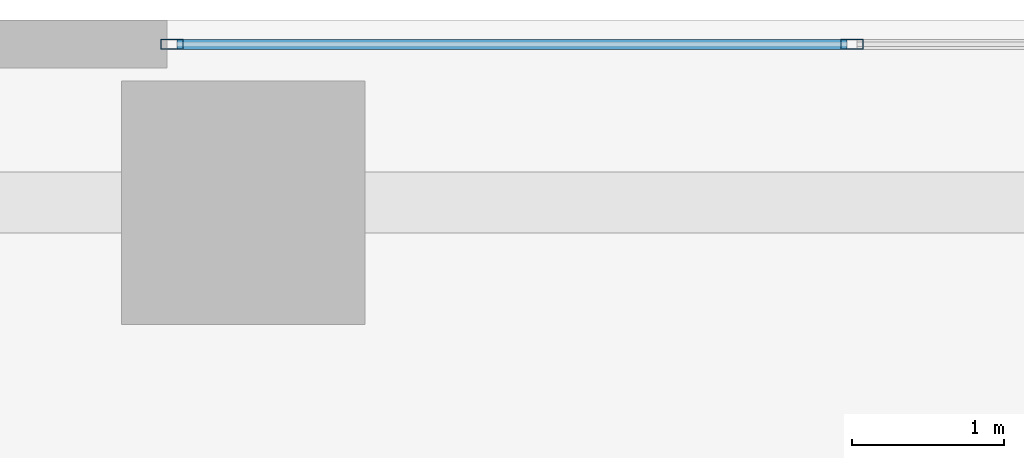
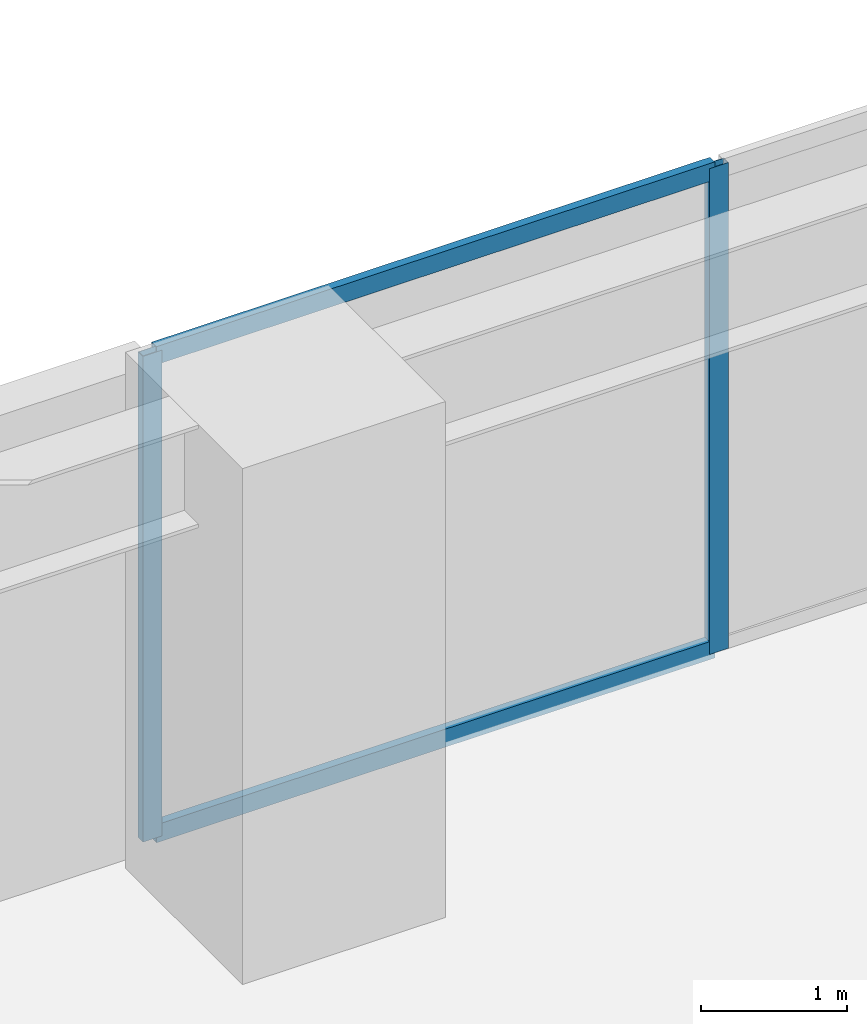
# One storey, part 11 of 25: 4 members, 1 element without a shape of its own.
"""IFC4 building model written with IfcOpenShell, lengths in metres."""

from ifc_helpers import new_model, si_unit, direction, frame, origin, origin_2d, place, context, subcontext, project, spatial, hollow_rectangle, extrude, source, transform, mapped, material, layer, layer_set, material_profile, profile_set, type_object, type_shapes, element, aggregate, save


model = new_model("IFC4")

# Units and contexts
model_context = context("Model", 3, precision=1e-05, world=origin(), true_north=direction((0.0, 1.0)))
body_context = subcontext(model_context, "Body", "Model", "MODEL_VIEW")
ifc_project = project(units=[si_unit("LENGTHUNIT", "METRE"), si_unit("AREAUNIT", "SQUARE_METRE"), si_unit("VOLUMEUNIT", "CUBIC_METRE"), si_unit("PLANEANGLEUNIT", "RADIAN"), si_unit("MASSUNIT", "GRAM", prefix="KILO")], contexts=[model_context])

# Site, building, storey
site_placement = place(None, origin())
site = spatial("IfcSite", under=ifc_project, at=site_placement, CompositionType="ELEMENT")
building_placement = place(site_placement, origin())
building = spatial("IfcBuilding", under=site, at=building_placement, Name="Talar Marvaseh", CompositionType="ELEMENT")
storey_placement = place(building_placement, frame((0.0, 0.0, 5.199951171875)))
storey = spatial("IfcBuildingStorey", under=building, at=storey_placement, Name="L01", CompositionType="ELEMENT", Elevation=5.199951171875)

# Curtain wall, members
ifc_material = material(Name="Architectural Aluminium", Category="aluminium")
ifc_layer = layer(ifc_material, 0.25)
ifc_layer_set = layer_set([ifc_layer], Name="Architectural Aluminium")
curtain_wall_type = type_object("IfcCurtainWallType", Name="Station Podium Monumental Iwan Curtain Wall", PredefinedType="NOTDEFINED", material=ifc_layer_set)
curtain_wall_placement = place(storey_placement, origin())
curtain_wall = element("IfcCurtainWall", 1, at=curtain_wall_placement, inside=storey, type_object=curtain_wall_type, Name="L01 Station Podium Monumental Iwan Curtain Wall", PredefinedType="NOTDEFINED")
ifc_material_profile_1 = material_profile(ifc_material, hollow_rectangle(XDim=0.06494140625, YDim=0.14990234375, WallThickness=0.00390625, at=origin_2d()), Name="RHS150x65x4")
ifc_profile_set_1 = profile_set([ifc_material_profile_1], Name="Architectural Aluminium")
member_type_1 = type_object("IfcMemberType", Name="Unitised Curtain Wall Slim Transom RHS150x65x4", PredefinedType="USERDEFINED", material=ifc_profile_set_1)
shared_shape_1 = source(origin(), body_context, "Body", "SweptSolid", [
    extrude(hollow_rectangle(XDim=0.06494140625, YDim=0.14990234375, WallThickness=0.00390625, at=origin_2d()), origin(), (0.0, 0.0, 1.0), 4.402587890625),
])
type_shapes(member_type_1, [shared_shape_1])
member_1_placement = place(storey_placement, frame((18.06494140625, 47.840087890625, 0.032470703125), z_axis=(1.0, 0.0, 0.0), x_axis=(0.0, 1.0, 0.0)))
member_1 = element("IfcMember", 2, at=member_1_placement, type_object=member_type_1, Name="CW-POD transom 1.1", ObjectType="TRANSOM", PredefinedType="USERDEFINED", context=body_context, shape_type="MappedRepresentation", body=[
    mapped(shared_shape_1, transform((0.0, 0.0, 0.0), x_axis=(1.0, 0.0, 0.0), y_axis=(0.0, 1.0, 0.0), z_axis=(0.0, 0.0, 1.0), scale=1.0)),
])
member_2_placement = place(storey_placement, frame((18.06494140625, 47.840087890625, 4.017578125), z_axis=(1.0, 0.0, 0.0), x_axis=(0.0, 1.0, 0.0)))
member_2 = element("IfcMember", 3, at=member_2_placement, type_object=member_type_1, Name="CW-POD transom 1.2", ObjectType="TRANSOM", PredefinedType="USERDEFINED", context=body_context, shape_type="MappedRepresentation", body=[
    mapped(shared_shape_1, transform((0.0, 0.0, 0.0), x_axis=(1.0, 0.0, 0.0), y_axis=(0.0, 1.0, 0.0), z_axis=(0.0, 0.0, 1.0), scale=1.0)),
])
ifc_material_profile_2 = material_profile(ifc_material, hollow_rectangle(XDim=0.06494140625, YDim=0.14990234375, WallThickness=0.00390625, at=origin_2d()), Name="RHS150x65x4")
ifc_profile_set_2 = profile_set([ifc_material_profile_2], Name="Architectural Aluminium")
member_type_2 = type_object("IfcMemberType", Name="Unitised Curtain Wall Slim Mullion RHS150x65x4", PredefinedType="MULLION", material=ifc_profile_set_2)
shared_shape_2 = source(origin(), body_context, "Body", "SweptSolid", [
    extrude(hollow_rectangle(XDim=0.06494140625, YDim=0.14990234375, WallThickness=0.00390625, at=origin_2d()), origin(), (0.0, 0.0, 1.0), 4.050048828125),
])
type_shapes(member_type_2, [shared_shape_2])
member_3_placement = place(storey_placement, frame((18.032470703125, 47.840087890625, 0.0), z_axis=(0.0, 0.0, 1.0), x_axis=(0.0, 1.0, 0.0)))
member_3 = element("IfcMember", 4, at=member_3_placement, type_object=member_type_2, Name="CW-POD mullion 1", PredefinedType="MULLION", context=body_context, shape_type="MappedRepresentation", body=[
    mapped(shared_shape_2, transform((0.0, 0.0, 0.0), x_axis=(1.0, 0.0, 0.0), y_axis=(0.0, 1.0, 0.0), z_axis=(0.0, 0.0, 1.0), scale=1.0)),
])
member_4_placement = place(storey_placement, frame((22.5, 47.840087890625, 0.0), z_axis=(0.0, 0.0, 1.0), x_axis=(0.0, 1.0, 0.0)))
member_4 = element("IfcMember", 5, at=member_4_placement, type_object=member_type_2, Name="CW-POD mullion 2", PredefinedType="MULLION", context=body_context, shape_type="MappedRepresentation", body=[
    mapped(shared_shape_2, transform((0.0, 0.0, 0.0), x_axis=(1.0, 0.0, 0.0), y_axis=(0.0, 1.0, 0.0), z_axis=(0.0, 0.0, 1.0), scale=1.0)),
])
aggregate(curtain_wall, [member_3, member_4, member_1, member_2])

save(model, "model.ifc")
